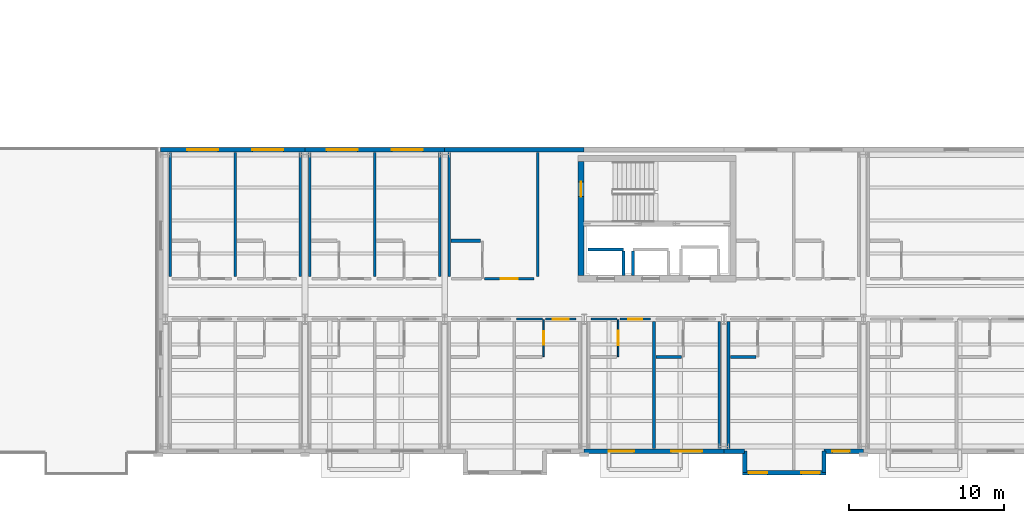
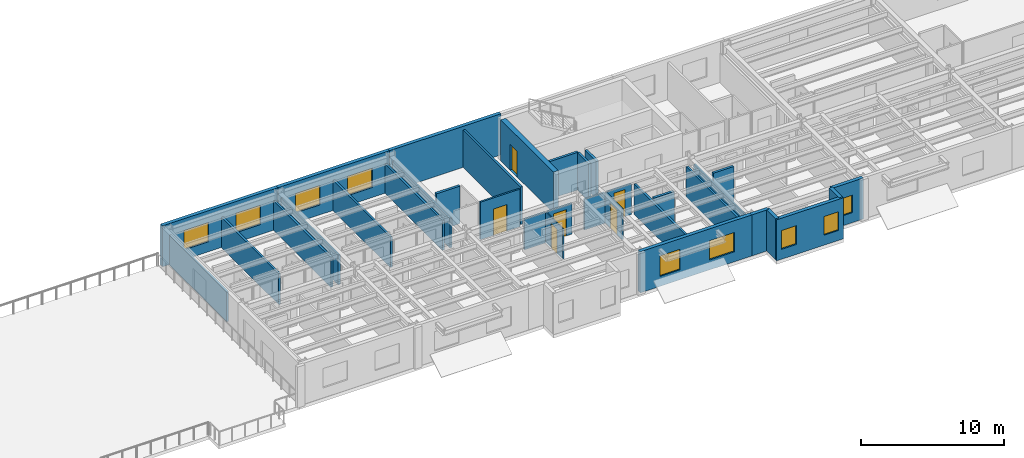
# One storey, part 11 of 23: 34 walls, 9 windows, 6 doors, 15 openings.
"""IFC4 building model written with IfcOpenShell, lengths in metres."""

from ifc_helpers import new_model, si_unit, direction, frame, frame_2d, origin, place, context, subcontext, project, spatial, rectangle, extrude, material, layer, layer_set, type_object, element, fill, save


model = new_model("IFC4")

# Units and contexts
model_context = context("Model", 3, precision=1e-05, world=origin(), true_north=direction((0.0, 1.0)))
body_context = subcontext(model_context, "Body", "Model", "MODEL_VIEW")
ifc_project = project(units=[si_unit("LENGTHUNIT", "METRE"), si_unit("AREAUNIT", "SQUARE_METRE"), si_unit("VOLUMEUNIT", "CUBIC_METRE"), si_unit("PLANEANGLEUNIT", "RADIAN"), si_unit("MASSUNIT", "GRAM", prefix="KILO")], contexts=[model_context])

# Site, building, storey
site_placement = place(None, origin())
site = spatial("IfcSite", under=ifc_project, at=site_placement, CompositionType="ELEMENT")
building_placement = place(site_placement, origin())
building = spatial("IfcBuilding", under=site, at=building_placement, Name="Sollismere Congress Hotel", CompositionType="ELEMENT")
storey_placement = place(building_placement, frame((0.0, 0.0, 30.60009765625)))
storey = spatial("IfcBuildingStorey", under=building, at=storey_placement, Name="L07", CompositionType="ELEMENT", Elevation=30.60009765625)

# Wall, openings, windows
ifc_material_1 = material(Name="Colorado Buff Sandstone Rainscreen on Insulated Backup", Category="masonry")
ifc_layer_1 = layer(ifc_material_1, 0.284912109375, Name="Colorado Buff Sandstone Rainscreen on Insulated Backup")
ifc_layer_set_1 = layer_set([ifc_layer_1], Name="Colorado Buff Sandstone Rainscreen on Insulated Backup")
wall_type_1 = type_object("IfcWallType", Name="WL-EXT285", PredefinedType="STANDARD", material=ifc_layer_set_1)
wall_1_placement = place(storey_placement, frame((94.0, -0.31005859375, 0.0), z_axis=(0.0, 0.0, 1.0), x_axis=(1.0, 0.0, 0.0)))
wall_1 = element("IfcWall", 1, at=wall_1_placement, inside=storey, type_object=wall_type_1, Name="Exterior wall EW-L07-746", PredefinedType="STANDARD", context=body_context, shape_type="SweptSolid", body=[
    extrude(rectangle(XDim=9.0, YDim=0.284912109375, at=frame_2d((4.5, 0.0))), origin(), (0.0, 0.0, 1.0), 3.5),
])
opening_1_placement = place(wall_1_placement, frame((1.574951171875, 0.0, 0.85009765625)))
opening_1 = element("IfcOpeningElement", 2, at=opening_1_placement, cuts=wall_1, Name="Opening W-L07-547", PredefinedType="OPENING", context=body_context, shape_type="SweptSolid", body=[
    extrude(rectangle(XDim=1.64990234375, YDim=1.75, at=frame_2d((0.824951171875, 0.875))), frame((0.0, 0.15234375, 0.0), z_axis=(0.0, -1.0, 0.0), x_axis=(1.0, 0.0, 0.0)), (0.0, 0.0, 1.0), 0.304931640625),
])
opening_2_placement = place(wall_1_placement, frame((5.60009765625, 0.0, 0.85009765625)))
opening_2 = element("IfcOpeningElement", 3, at=opening_2_placement, cuts=wall_1, Name="Opening W-L07-548", PredefinedType="OPENING", context=body_context, shape_type="SweptSolid", body=[
    extrude(rectangle(XDim=2.0, YDim=1.64990234375, at=frame_2d((1.0, 0.824951171875))), frame((0.0, 0.15234375, 0.0), z_axis=(0.0, -1.0, 0.0), x_axis=(1.0, 0.0, 0.0)), (0.0, 0.0, 1.0), 0.304931640625),
])
ifc_material_2 = material(Name="Thermally Broken Bronze Aluminum & Low-E Glass", Category="aluminium")
window_type_1 = type_object("IfcWindowType", Name="WN-P165x175", PartitioningType="SINGLE_PANEL", PredefinedType="WINDOW", material=ifc_material_2)
window_1_placement = place(opening_1_placement, origin())
window_1 = element("IfcWindow", 4, at=window_1_placement, inside=storey, type_object=window_type_1, Name="WIN-W-L07-547", OverallHeight=1.75, OverallWidth=1.64990234375, PartitioningType="SINGLE_PANEL", PredefinedType="WINDOW", context=body_context, shape_type="SweptSolid", body=[
    extrude(rectangle(XDim=1.64990234375, YDim=1.75, at=frame_2d((0.824951171875, 0.875))), frame((0.0, 0.030029296875, 0.0), z_axis=(0.0, -1.0, 0.0), x_axis=(1.0, 0.0, 0.0)), (0.0, 0.0, 1.0), 0.06005859375),
])
fill(opening_1, window_1)
window_type_2 = type_object("IfcWindowType", Name="WN-P200x165", PartitioningType="SINGLE_PANEL", PredefinedType="WINDOW", material=ifc_material_2)
window_2_placement = place(opening_2_placement, origin())
window_2 = element("IfcWindow", 5, at=window_2_placement, inside=storey, type_object=window_type_2, Name="WIN-W-L07-548", OverallHeight=1.64990234375, OverallWidth=2.0, PartitioningType="SINGLE_PANEL", PredefinedType="WINDOW", context=body_context, shape_type="SweptSolid", body=[
    extrude(rectangle(XDim=2.0, YDim=1.64990234375, at=frame_2d((1.0, 0.824951171875))), frame((0.0, 0.030029296875, 0.0), z_axis=(0.0, -1.0, 0.0), x_axis=(1.0, 0.0, 0.0)), (0.0, 0.0, 1.0), 0.06005859375),
])
fill(opening_2, window_2)

# Wall
wall_2_placement = place(storey_placement, frame((103.0, -0.31005859375, 0.0), z_axis=(0.0, 0.0, 1.0), x_axis=(1.0, 0.0, 0.0)))
element("IfcWall", 6, at=wall_2_placement, inside=storey, type_object=wall_type_1, Name="Exterior wall EW-L07-748", PredefinedType="STANDARD", context=body_context, shape_type="SweptSolid", body=[
    extrude(rectangle(XDim=1.340087890625, YDim=0.284912109375, at=frame_2d((0.669921875, 0.0))), origin(), (0.0, 0.0, 1.0), 3.5),
])

# Wall, opening, window
wall_3_placement = place(storey_placement, frame((109.4599609375, -0.31005859375, 0.0), z_axis=(0.0, 0.0, 1.0), x_axis=(1.0, 0.0, 0.0)))
wall_3 = element("IfcWall", 7, at=wall_3_placement, inside=storey, type_object=wall_type_1, Name="Exterior wall EW-L07-749", PredefinedType="STANDARD", context=body_context, shape_type="SweptSolid", body=[
    extrude(rectangle(XDim=2.5400390625, YDim=0.284912109375, at=frame_2d((1.27001953125, 0.0))), origin(), (0.0, 0.0, 1.0), 3.5),
])
opening_3_placement = place(wall_3_placement, frame((0.544921875, 0.0, 0.85009765625)))
opening_3 = element("IfcOpeningElement", 8, at=opening_3_placement, cuts=wall_3, Name="Opening W-L07-549", PredefinedType="OPENING", context=body_context, shape_type="SweptSolid", body=[
    extrude(rectangle(XDim=1.10009765625, YDim=1.5, at=frame_2d((0.550048828125, 0.75))), frame((0.0, 0.15234375, 0.0), z_axis=(0.0, -1.0, 0.0), x_axis=(1.0, 0.0, 0.0)), (0.0, 0.0, 1.0), 0.304931640625),
])
window_type_3 = type_object("IfcWindowType", Name="WN-P110x150", PartitioningType="SINGLE_PANEL", PredefinedType="WINDOW", material=ifc_material_2)
window_3_placement = place(opening_3_placement, origin())
window_3 = element("IfcWindow", 9, at=window_3_placement, inside=storey, type_object=window_type_3, Name="WIN-W-L07-549", OverallHeight=1.5, OverallWidth=1.10009765625, PartitioningType="SINGLE_PANEL", PredefinedType="WINDOW", context=body_context, shape_type="SweptSolid", body=[
    extrude(rectangle(XDim=1.10009765625, YDim=1.5, at=frame_2d((0.550048828125, 0.75))), frame((0.0, 0.030029296875, 0.0), z_axis=(0.0, -1.0, 0.0), x_axis=(1.0, 0.0, 0.0)), (0.0, 0.0, 1.0), 0.06005859375),
])
fill(opening_3, window_3)

# Wall, openings, windows
wall_4_placement = place(storey_placement, frame((104.199951171875, -1.699951171875, 0.0), z_axis=(0.0, 0.0, 1.0), x_axis=(1.0, 0.0, 0.0)))
wall_4 = element("IfcWall", 10, at=wall_4_placement, inside=storey, type_object=wall_type_1, Name="Exterior wall EW-L07-750", PredefinedType="STANDARD", context=body_context, shape_type="SweptSolid", body=[
    extrude(rectangle(XDim=5.400146484375, YDim=0.284912109375, at=frame_2d((2.7001953125, 0.0))), origin(), (0.0, 0.0, 1.0), 3.5),
])
opening_4_placement = place(wall_4_placement, frame((0.39990234375, 0.0, 0.85009765625)))
opening_4 = element("IfcOpeningElement", 11, at=opening_4_placement, cuts=wall_4, Name="Opening W-L07-550", PredefinedType="OPENING", context=body_context, shape_type="SweptSolid", body=[
    extrude(rectangle(XDim=1.199951171875, YDim=1.60009765625, at=frame_2d((0.60009765625, 0.800048828125))), frame((0.0, 0.15234375, 0.0), z_axis=(0.0, -1.0, 0.0), x_axis=(1.0, 0.0, 0.0)), (0.0, 0.0, 1.0), 0.304931640625),
])
opening_5_placement = place(wall_4_placement, frame((3.800048828125, 0.0, 0.85009765625)))
opening_5 = element("IfcOpeningElement", 12, at=opening_5_placement, cuts=wall_4, Name="Opening W-L07-551", PredefinedType="OPENING", context=body_context, shape_type="SweptSolid", body=[
    extrude(rectangle(XDim=1.199951171875, YDim=1.60009765625, at=frame_2d((0.60009765625, 0.800048828125))), frame((0.0, 0.15234375, 0.0), z_axis=(0.0, -1.0, 0.0), x_axis=(1.0, 0.0, 0.0)), (0.0, 0.0, 1.0), 0.304931640625),
])
window_type_4 = type_object("IfcWindowType", Name="WN-P120x160", PartitioningType="SINGLE_PANEL", PredefinedType="WINDOW", material=ifc_material_2)
window_4_placement = place(opening_4_placement, origin())
window_4 = element("IfcWindow", 13, at=window_4_placement, inside=storey, type_object=window_type_4, Name="WIN-W-L07-550", OverallHeight=1.60009765625, OverallWidth=1.199951171875, PartitioningType="SINGLE_PANEL", PredefinedType="WINDOW", context=body_context, shape_type="SweptSolid", body=[
    extrude(rectangle(XDim=1.199951171875, YDim=1.60009765625, at=frame_2d((0.60009765625, 0.800048828125))), frame((0.0, 0.030029296875, 0.0), z_axis=(0.0, -1.0, 0.0), x_axis=(1.0, 0.0, 0.0)), (0.0, 0.0, 1.0), 0.06005859375),
])
fill(opening_4, window_4)
window_5_placement = place(opening_5_placement, origin())
window_5 = element("IfcWindow", 14, at=window_5_placement, inside=storey, type_object=window_type_4, Name="WIN-W-L07-551", OverallHeight=1.60009765625, OverallWidth=1.199951171875, PartitioningType="SINGLE_PANEL", PredefinedType="WINDOW", context=body_context, shape_type="SweptSolid", body=[
    extrude(rectangle(XDim=1.199951171875, YDim=1.60009765625, at=frame_2d((0.60009765625, 0.800048828125))), frame((0.0, 0.030029296875, 0.0), z_axis=(0.0, -1.0, 0.0), x_axis=(1.0, 0.0, 0.0)), (0.0, 0.0, 1.0), 0.06005859375),
])
fill(opening_5, window_5)

# Walls
for number, where, z_axis, x_axis, name in (
    (15, (104.340087890625, -0.31005859375, 0.0), (0.0, 0.0, 1.0), (0.0, -1.0, 0.0), "Exterior wall EW-L07-751"),
    (16, (109.4599609375, -1.699951171875, 0.0), (0.0, 0.0, 1.0), (0.0, 1.0, 0.0), "Exterior wall EW-L07-752"),
):
    element("IfcWall", number, at=place(storey_placement, frame(where, z_axis=z_axis, x_axis=x_axis)), inside=storey, type_object=wall_type_1, Name=name, PredefinedType="STANDARD", context=body_context, shape_type="SweptSolid", body=[
        extrude(rectangle(XDim=1.389892578125, YDim=0.284912109375, at=frame_2d((0.69482421875, 0.0))), origin(), (0.0, 0.0, 1.0), 3.5),
    ])

# Wall, openings, windows
wall_5_placement = place(storey_placement, frame((76.0, 19.110107421875, 0.0), z_axis=(0.0, 0.0, 1.0), x_axis=(-1.0, 0.0, 0.0)))
wall_5 = element("IfcWall", 17, at=wall_5_placement, inside=storey, type_object=wall_type_1, Name="Exterior wall EW-L07-794", PredefinedType="STANDARD", context=body_context, shape_type="SweptSolid", body=[
    extrude(rectangle(XDim=9.31005859375, YDim=0.284912109375, at=frame_2d((4.655029296875, 0.0))), origin(), (0.0, 0.0, 1.0), 3.5),
])
opening_6_placement = place(wall_5_placement, frame((5.60009765625, 0.0, 0.85009765625)))
opening_6 = element("IfcOpeningElement", 18, at=opening_6_placement, cuts=wall_5, Name="Opening W-L07-573", PredefinedType="OPENING", context=body_context, shape_type="SweptSolid", body=[
    extrude(rectangle(XDim=2.0, YDim=1.64990234375, at=frame_2d((1.0, 0.824951171875))), frame((0.0, 0.15234375, 0.0), z_axis=(0.0, -1.0, 0.0), x_axis=(1.0, 0.0, 0.0)), (0.0, 0.0, 1.0), 0.304931640625),
])
opening_7_placement = place(wall_5_placement, frame((1.39990234375, 0.0, 0.85009765625)))
opening_7 = element("IfcOpeningElement", 19, at=opening_7_placement, cuts=wall_5, Name="Opening W-L07-574", PredefinedType="OPENING", context=body_context, shape_type="SweptSolid", body=[
    extrude(rectangle(XDim=2.0, YDim=1.64990234375, at=frame_2d((1.0, 0.824951171875))), frame((0.0, 0.15234375, 0.0), z_axis=(0.0, -1.0, 0.0), x_axis=(1.0, 0.0, 0.0)), (0.0, 0.0, 1.0), 0.304931640625),
])
window_6_placement = place(opening_6_placement, origin())
window_6 = element("IfcWindow", 20, at=window_6_placement, inside=storey, type_object=window_type_2, Name="WIN-W-L07-573", OverallHeight=1.64990234375, OverallWidth=2.0, PartitioningType="SINGLE_PANEL", PredefinedType="WINDOW", context=body_context, shape_type="SweptSolid", body=[
    extrude(rectangle(XDim=2.0, YDim=1.64990234375, at=frame_2d((1.0, 0.824951171875))), frame((0.0, 0.030029296875, 0.0), z_axis=(0.0, -1.0, 0.0), x_axis=(1.0, 0.0, 0.0)), (0.0, 0.0, 1.0), 0.06005859375),
])
fill(opening_6, window_6)
window_7_placement = place(opening_7_placement, origin())
window_7 = element("IfcWindow", 21, at=window_7_placement, inside=storey, type_object=window_type_2, Name="WIN-W-L07-574", OverallHeight=1.64990234375, OverallWidth=2.0, PartitioningType="SINGLE_PANEL", PredefinedType="WINDOW", context=body_context, shape_type="SweptSolid", body=[
    extrude(rectangle(XDim=2.0, YDim=1.64990234375, at=frame_2d((1.0, 0.824951171875))), frame((0.0, 0.030029296875, 0.0), z_axis=(0.0, -1.0, 0.0), x_axis=(1.0, 0.0, 0.0)), (0.0, 0.0, 1.0), 0.06005859375),
])
fill(opening_7, window_7)

wall_6_placement = place(storey_placement, frame((85.0, 19.110107421875, 0.0), z_axis=(0.0, 0.0, 1.0), x_axis=(-1.0, 0.0, 0.0)))
wall_6 = element("IfcWall", 22, at=wall_6_placement, inside=storey, type_object=wall_type_1, Name="Exterior wall EW-L07-795", PredefinedType="STANDARD", context=body_context, shape_type="SweptSolid", body=[
    extrude(rectangle(XDim=9.0, YDim=0.284912109375, at=frame_2d((4.5, 0.0))), origin(), (0.0, 0.0, 1.0), 3.5),
])
opening_8_placement = place(wall_6_placement, frame((5.60009765625, 0.0, 0.85009765625)))
opening_8 = element("IfcOpeningElement", 23, at=opening_8_placement, cuts=wall_6, Name="Opening W-L07-575", PredefinedType="OPENING", context=body_context, shape_type="SweptSolid", body=[
    extrude(rectangle(XDim=2.0, YDim=1.64990234375, at=frame_2d((1.0, 0.824951171875))), frame((0.0, 0.15234375, 0.0), z_axis=(0.0, -1.0, 0.0), x_axis=(1.0, 0.0, 0.0)), (0.0, 0.0, 1.0), 0.304931640625),
])
opening_9_placement = place(wall_6_placement, frame((1.39990234375, 0.0, 0.85009765625)))
opening_9 = element("IfcOpeningElement", 24, at=opening_9_placement, cuts=wall_6, Name="Opening W-L07-576", PredefinedType="OPENING", context=body_context, shape_type="SweptSolid", body=[
    extrude(rectangle(XDim=2.0, YDim=1.64990234375, at=frame_2d((1.0, 0.824951171875))), frame((0.0, 0.15234375, 0.0), z_axis=(0.0, -1.0, 0.0), x_axis=(1.0, 0.0, 0.0)), (0.0, 0.0, 1.0), 0.304931640625),
])
window_8_placement = place(opening_8_placement, origin())
window_8 = element("IfcWindow", 25, at=window_8_placement, inside=storey, type_object=window_type_2, Name="WIN-W-L07-575", OverallHeight=1.64990234375, OverallWidth=2.0, PartitioningType="SINGLE_PANEL", PredefinedType="WINDOW", context=body_context, shape_type="SweptSolid", body=[
    extrude(rectangle(XDim=2.0, YDim=1.64990234375, at=frame_2d((1.0, 0.824951171875))), frame((0.0, 0.030029296875, 0.0), z_axis=(0.0, -1.0, 0.0), x_axis=(1.0, 0.0, 0.0)), (0.0, 0.0, 1.0), 0.06005859375),
])
fill(opening_8, window_8)
window_9_placement = place(opening_9_placement, origin())
window_9 = element("IfcWindow", 26, at=window_9_placement, inside=storey, type_object=window_type_2, Name="WIN-W-L07-576", OverallHeight=1.64990234375, OverallWidth=2.0, PartitioningType="SINGLE_PANEL", PredefinedType="WINDOW", context=body_context, shape_type="SweptSolid", body=[
    extrude(rectangle(XDim=2.0, YDim=1.64990234375, at=frame_2d((1.0, 0.824951171875))), frame((0.0, 0.030029296875, 0.0), z_axis=(0.0, -1.0, 0.0), x_axis=(1.0, 0.0, 0.0)), (0.0, 0.0, 1.0), 0.06005859375),
])
fill(opening_9, window_9)

# Walls
wall_7_placement = place(storey_placement, frame((94.0, 19.110107421875, 0.0), z_axis=(0.0, 0.0, 1.0), x_axis=(-1.0, 0.0, 0.0)))
element("IfcWall", 27, at=wall_7_placement, inside=storey, type_object=wall_type_1, Name="Exterior wall EW-L07-796", PredefinedType="STANDARD", context=body_context, shape_type="SweptSolid", body=[
    extrude(rectangle(XDim=9.0, YDim=0.284912109375, at=frame_2d((4.5, 0.0))), origin(), (0.0, 0.0, 1.0), 3.5),
])
ifc_material_3 = material(Name="Moisture-Resistant Shaft Gypsum Assembly")
ifc_layer_2 = layer(ifc_material_3, 0.199951171875, Name="Moisture-Resistant Shaft Gypsum Assembly")
ifc_layer_set_2 = layer_set([ifc_layer_2], Name="Moisture-Resistant Shaft Gypsum Assembly")
wall_type_2 = type_object("IfcWallType", Name="WL-PLM200", PredefinedType="PLUMBINGWALL", material=ifc_layer_set_2)
wall_8_placement = place(storey_placement, frame((94.2548828125, 12.68994140625, 0.0), z_axis=(0.0, 0.0, 1.0), x_axis=(1.0, 0.0, 0.0)))
element("IfcWall", 28, at=wall_8_placement, inside=storey, type_object=wall_type_2, Name="Interior wall IW-L07-0318", PredefinedType="PLUMBINGWALL", context=body_context, shape_type="SweptSolid", body=[
    extrude(rectangle(XDim=2.2900390625, YDim=0.199951171875, at=frame_2d((1.14501953125, 0.0))), origin(), (0.0, 0.0, 1.0), 3.199951171875),
])
for number, where, z_axis, x_axis, name in (
    (29, (96.544921875, 11.011962890625, 0.0), (0.0, 0.0, 1.0), (0.0, 1.0, 0.0), "Interior wall IW-L07-0319"),
    (30, (97.155029296875, 11.011962890625, 0.0), (0.0, 0.0, 1.0), (0.0, 1.0, 0.0), "Interior wall IW-L07-0321"),
):
    element("IfcWall", number, at=place(storey_placement, frame(where, z_axis=z_axis, x_axis=x_axis)), inside=storey, type_object=wall_type_2, Name=name, PredefinedType="PLUMBINGWALL", context=body_context, shape_type="SweptSolid", body=[
        extrude(rectangle(XDim=1.56591796875, YDim=0.199951171875, at=frame_2d((0.782958984375, 0.0))), origin(), (0.0, 0.0, 1.0), 3.199951171875),
    ])
wall_9_placement = place(storey_placement, frame((85.419921875, 13.25, 0.0), z_axis=(0.0, 0.0, 1.0), x_axis=(1.0, 0.0, 0.0)))
element("IfcWall", 31, at=wall_9_placement, inside=storey, type_object=wall_type_2, Name="Interior wall IW-L07-2259", PredefinedType="PLUMBINGWALL", context=body_context, shape_type="SweptSolid", body=[
    extrude(rectangle(XDim=1.91015625, YDim=0.199951171875, at=frame_2d((0.955078125, 0.0))), origin(), (0.0, 0.0, 1.0), 3.199951171875),
])
wall_10_placement = place(storey_placement, frame((98.6201171875, 5.75, 0.0), z_axis=(0.0, 0.0, 1.0), x_axis=(1.0, 0.0, 0.0)))
element("IfcWall", 32, at=wall_10_placement, inside=storey, type_object=wall_type_2, Name="Interior wall IW-L07-2270", PredefinedType="PLUMBINGWALL", context=body_context, shape_type="SweptSolid", body=[
    extrude(rectangle(XDim=1.64990234375, YDim=0.199951171875, at=frame_2d((0.824951171875, 0.0))), origin(), (0.0, 0.0, 1.0), 2.7529296875),
])
wall_11_placement = place(storey_placement, frame((103.419921875, 5.75, 0.0), z_axis=(0.0, 0.0, 1.0), x_axis=(1.0, 0.0, 0.0)))
element("IfcWall", 33, at=wall_11_placement, inside=storey, type_object=wall_type_2, Name="Interior wall IW-L07-2276", PredefinedType="PLUMBINGWALL", context=body_context, shape_type="SweptSolid", body=[
    extrude(rectangle(XDim=1.650146484375, YDim=0.199951171875, at=frame_2d((0.8251953125, 0.0))), origin(), (0.0, 0.0, 1.0), 3.199951171875),
])

# Wall, opening, door
ifc_material_4 = material(Name="Moisture-Resistant Gypsum Partition")
ifc_layer_3 = layer(ifc_material_4, 0.10009765625, Name="Moisture-Resistant Gypsum Partition")
ifc_layer_set_3 = layer_set([ifc_layer_3], Name="Moisture-Resistant Gypsum Partition")
wall_type_3 = type_object("IfcWallType", Name="WL-PRT100", PredefinedType="PARTITIONING", material=ifc_layer_set_3)
wall_12_placement = place(storey_placement, frame((91.389892578125, 5.7900390625, 0.0), z_axis=(0.0, 0.0, 1.0), x_axis=(0.0, 1.0, 0.0)))
wall_12 = element("IfcWall", 34, at=wall_12_placement, inside=storey, type_object=wall_type_3, Name="Interior wall IW-L07-2252", PredefinedType="PARTITIONING", context=body_context, shape_type="SweptSolid", body=[
    extrude(rectangle(XDim=2.369873046875, YDim=0.10009765625, at=frame_2d((1.18505859375, 0.0))), origin(), (0.0, 0.0, 1.0), 2.61279296875),
])
opening_10_placement = place(wall_12_placement, frame((0.7451171875, 0.0, 0.0)))
opening_10 = element("IfcOpeningElement", 35, at=opening_10_placement, cuts=wall_12, Name="Opening D-L07-0795", PredefinedType="OPENING", context=body_context, shape_type="SweptSolid", body=[
    extrude(rectangle(XDim=0.8798828125, YDim=2.10009765625, at=frame_2d((0.43994140625, 1.050048828125))), frame((0.0, 0.06005859375, 0.0), z_axis=(0.0, -1.0, 0.0), x_axis=(1.0, 0.0, 0.0)), (0.0, 0.0, 1.0), 0.1201171875),
])
ifc_material_5 = material(Name="Moisture-Sealed Timber Bathroom Door", Category="wood")
door_type_1 = type_object("IfcDoorType", Name="DR-BT01", OperationType="NOTDEFINED", PredefinedType="DOOR", material=ifc_material_5)
door_1_placement = place(opening_10_placement, origin())
door_1 = element("IfcDoor", 36, at=door_1_placement, inside=storey, type_object=door_type_1, Name="En-suite bathroom door D-L07-0795", OperationType="SINGLE_SWING_RIGHT", OverallHeight=2.10009765625, OverallWidth=0.8798828125, PredefinedType="DOOR", context=body_context, shape_type="SweptSolid", body=[
    extrude(rectangle(XDim=0.8798828125, YDim=2.10009765625, at=frame_2d((0.43994140625, 1.050048828125))), frame((0.0, 0.02490234375, 0.0), z_axis=(0.0, -1.0, 0.0), x_axis=(1.0, 0.0, 0.0)), (0.0, 0.0, 1.0), 0.050048828125),
])
fill(opening_10, door_1)

wall_13_placement = place(storey_placement, frame((96.18994140625, 5.7900390625, 0.0), z_axis=(0.0, 0.0, 1.0), x_axis=(0.0, 1.0, 0.0)))
wall_13 = element("IfcWall", 37, at=wall_13_placement, inside=storey, type_object=wall_type_3, Name="Interior wall IW-L07-2264", PredefinedType="PARTITIONING", context=body_context, shape_type="SweptSolid", body=[
    extrude(rectangle(XDim=2.369873046875, YDim=0.10009765625, at=frame_2d((1.18505859375, 0.0))), origin(), (0.0, 0.0, 1.0), 2.61279296875),
])
opening_11_placement = place(wall_13_placement, frame((0.719970703125, 0.0, 0.0)))
opening_11 = element("IfcOpeningElement", 38, at=opening_11_placement, cuts=wall_13, Name="Opening D-L07-0799", PredefinedType="OPENING", context=body_context, shape_type="SweptSolid", body=[
    extrude(rectangle(XDim=0.929931640625, YDim=2.139892578125, at=frame_2d((0.46484375, 1.06982421875))), frame((0.0, 0.06005859375, 0.0), z_axis=(0.0, -1.0, 0.0), x_axis=(1.0, 0.0, 0.0)), (0.0, 0.0, 1.0), 0.1201171875),
])
door_type_2 = type_object("IfcDoorType", Name="DR-BT03", OperationType="NOTDEFINED", PredefinedType="DOOR", material=ifc_material_5)
door_2_placement = place(opening_11_placement, origin())
door_2 = element("IfcDoor", 39, at=door_2_placement, inside=storey, type_object=door_type_2, Name="En-suite bathroom door D-L07-0799", OperationType="SINGLE_SWING_RIGHT", OverallHeight=2.139892578125, OverallWidth=0.929931640625, PredefinedType="DOOR", context=body_context, shape_type="SweptSolid", body=[
    extrude(rectangle(XDim=0.929931640625, YDim=2.139892578125, at=frame_2d((0.46484375, 1.06982421875))), frame((0.0, 0.02490234375, 0.0), z_axis=(0.0, -1.0, 0.0), x_axis=(1.0, 0.0, 0.0)), (0.0, 0.0, 1.0), 0.050048828125),
])
fill(opening_11, door_2)

# Wall
ifc_material_6 = material(Name="Fire-Rated Gypsum Partition")
ifc_layer_4 = layer(ifc_material_6, 0.139892578125, Name="Fire-Rated Gypsum Partition")
ifc_layer_set_4 = layer_set([ifc_layer_4], Name="Fire-Rated Gypsum Partition")
wall_type_4 = type_object("IfcWallType", Name="WL-PRT140R", PredefinedType="PARTITIONING", material=ifc_layer_set_4)
wall_14_placement = place(storey_placement, frame((89.639892578125, 8.199951171875, 0.0), z_axis=(0.0, 0.0, 1.0), x_axis=(1.0, 0.0, 0.0)))
element("IfcWall", 40, at=wall_14_placement, inside=storey, type_object=wall_type_4, Name="Interior wall IW-L07-2249", PredefinedType="PARTITIONING", context=body_context, shape_type="SweptSolid", body=[
    extrude(rectangle(XDim=1.670166015625, YDim=0.139892578125, at=frame_2d((0.8349609375, 0.0))), origin(), (0.0, 0.0, 1.0), 2.61279296875),
])

# Wall, opening, door
wall_15_placement = place(storey_placement, frame((91.510009765625, 8.199951171875, 0.0), z_axis=(0.0, 0.0, 1.0), x_axis=(1.0, 0.0, 0.0)))
wall_15 = element("IfcWall", 41, at=wall_15_placement, inside=storey, type_object=wall_type_4, Name="Interior wall IW-L07-2250", PredefinedType="PARTITIONING", context=body_context, shape_type="SweptSolid", body=[
    extrude(rectangle(XDim=1.949951171875, YDim=0.139892578125, at=frame_2d((0.97509765625, 0.0))), origin(), (0.0, 0.0, 1.0), 2.61279296875),
])
opening_12_placement = place(wall_15_placement, frame((0.455078125, 0.0, 0.0)))
opening_12 = element("IfcOpeningElement", 42, at=opening_12_placement, cuts=wall_15, Name="Opening D-L07-0794", PredefinedType="OPENING", context=body_context, shape_type="SweptSolid", body=[
    extrude(rectangle(XDim=1.0400390625, YDim=2.25, at=frame_2d((0.52001953125, 1.125))), frame((0.0, 0.079833984375, 0.0), z_axis=(0.0, -1.0, 0.0), x_axis=(1.0, 0.0, 0.0)), (0.0, 0.0, 1.0), 0.159912109375),
])
ifc_material_7 = material(Name="Solid-Core Acoustic Walnut Guestroom Entry Door")
door_type_3 = type_object("IfcDoorType", Name="DR-KY05", OperationType="NOTDEFINED", PredefinedType="DOOR", material=ifc_material_7)
door_3_placement = place(opening_12_placement, origin())
door_3 = element("IfcDoor", 43, at=door_3_placement, inside=storey, type_object=door_type_3, Name="Hotel room entry door D-L07-0794", OperationType="SINGLE_SWING_LEFT", OverallHeight=2.25, OverallWidth=1.0400390625, PredefinedType="DOOR", context=body_context, shape_type="SweptSolid", body=[
    extrude(rectangle(XDim=1.0400390625, YDim=2.25, at=frame_2d((0.52001953125, 1.125))), frame((0.0, 0.02490234375, 0.0), z_axis=(0.0, -1.0, 0.0), x_axis=(1.0, 0.0, 0.0)), (0.0, 0.0, 1.0), 0.050048828125),
])
fill(opening_12, door_3)

wall_16_placement = place(storey_placement, frame((87.570068359375, 10.800048828125, 0.0), z_axis=(0.0, 0.0, 1.0), x_axis=(1.0, 0.0, 0.0)))
wall_16 = element("IfcWall", 44, at=wall_16_placement, inside=storey, type_object=wall_type_4, Name="Interior wall IW-L07-2255", PredefinedType="PARTITIONING", context=body_context, shape_type="SweptSolid", body=[
    extrude(rectangle(XDim=3.18994140625, YDim=0.139892578125, at=frame_2d((1.594970703125, 0.0))), origin(), (0.0, 0.0, 1.0), 3.199951171875),
])
opening_13_placement = place(wall_16_placement, frame((1.06005859375, 0.0, 0.0)))
opening_13 = element("IfcOpeningElement", 45, at=opening_13_placement, cuts=wall_16, Name="Opening D-L07-0796", PredefinedType="OPENING", context=body_context, shape_type="SweptSolid", body=[
    extrude(rectangle(XDim=1.070068359375, YDim=2.25, at=frame_2d((0.53515625, 1.125))), frame((0.0, 0.079833984375, 0.0), z_axis=(0.0, -1.0, 0.0), x_axis=(1.0, 0.0, 0.0)), (0.0, 0.0, 1.0), 0.159912109375),
])
door_type_4 = type_object("IfcDoorType", Name="DR-KY06", OperationType="NOTDEFINED", PredefinedType="DOOR", material=ifc_material_7)
door_4_placement = place(opening_13_placement, origin())
door_4 = element("IfcDoor", 46, at=door_4_placement, inside=storey, type_object=door_type_4, Name="Hotel room entry door D-L07-0796", OperationType="SINGLE_SWING_LEFT", OverallHeight=2.25, OverallWidth=1.070068359375, PredefinedType="DOOR", context=body_context, shape_type="SweptSolid", body=[
    extrude(rectangle(XDim=1.070068359375, YDim=2.25, at=frame_2d((0.53515625, 1.125))), frame((0.0, 0.02490234375, 0.0), z_axis=(0.0, -1.0, 0.0), x_axis=(1.0, 0.0, 0.0)), (0.0, 0.0, 1.0), 0.050048828125),
])
fill(opening_13, door_4)

# Wall
wall_17_placement = place(storey_placement, frame((94.43994140625, 8.199951171875, 0.0), z_axis=(0.0, 0.0, 1.0), x_axis=(1.0, 0.0, 0.0)))
element("IfcWall", 47, at=wall_17_placement, inside=storey, type_object=wall_type_4, Name="Interior wall IW-L07-2260", PredefinedType="PARTITIONING", context=body_context, shape_type="SweptSolid", body=[
    extrude(rectangle(XDim=1.670166015625, YDim=0.139892578125, at=frame_2d((0.8349609375, 0.0))), origin(), (0.0, 0.0, 1.0), 2.61279296875),
])

# Wall, opening, door
wall_18_placement = place(storey_placement, frame((96.31005859375, 8.199951171875, 0.0), z_axis=(0.0, 0.0, 1.0), x_axis=(1.0, 0.0, 0.0)))
wall_18 = element("IfcWall", 48, at=wall_18_placement, inside=storey, type_object=wall_type_4, Name="Interior wall IW-L07-2261", PredefinedType="PARTITIONING", context=body_context, shape_type="SweptSolid", body=[
    extrude(rectangle(XDim=1.949951171875, YDim=0.139892578125, at=frame_2d((0.97509765625, 0.0))), origin(), (0.0, 0.0, 1.0), 2.61279296875),
])
opening_14_placement = place(wall_18_placement, frame((0.514892578125, 0.0, 0.0)))
opening_14 = element("IfcOpeningElement", 49, at=opening_14_placement, cuts=wall_18, Name="Opening D-L07-0798", PredefinedType="OPENING", context=body_context, shape_type="SweptSolid", body=[
    extrude(rectangle(XDim=0.919921875, YDim=2.300048828125, at=frame_2d((0.4599609375, 1.14990234375))), frame((0.0, 0.079833984375, 0.0), z_axis=(0.0, -1.0, 0.0), x_axis=(1.0, 0.0, 0.0)), (0.0, 0.0, 1.0), 0.159912109375),
])
door_type_5 = type_object("IfcDoorType", Name="DR-KY07", OperationType="NOTDEFINED", PredefinedType="DOOR", material=ifc_material_7)
door_5_placement = place(opening_14_placement, origin())
door_5 = element("IfcDoor", 50, at=door_5_placement, inside=storey, type_object=door_type_5, Name="Hotel room entry door D-L07-0798", OperationType="SINGLE_SWING_LEFT", OverallHeight=2.300048828125, OverallWidth=0.919921875, PredefinedType="DOOR", context=body_context, shape_type="SweptSolid", body=[
    extrude(rectangle(XDim=0.919921875, YDim=2.300048828125, at=frame_2d((0.4599609375, 1.14990234375))), frame((0.0, 0.02490234375, 0.0), z_axis=(0.0, -1.0, 0.0), x_axis=(1.0, 0.0, 0.0)), (0.0, 0.0, 1.0), 0.050048828125),
])
fill(opening_14, door_5)

# Walls
ifc_material_8 = material(Name="Fire-Rated Acoustic Gypsum Partition")
ifc_layer_5 = layer(ifc_material_8, 0.1650390625, Name="Fire-Rated Acoustic Gypsum Partition")
ifc_layer_set_5 = layer_set([ifc_layer_5], Name="Fire-Rated Acoustic Gypsum Partition")
wall_type_5 = type_object("IfcWallType", Name="WL-PRT165R", PredefinedType="PARTITIONING", material=ifc_layer_set_5)
wall_19_placement = place(storey_placement, frame((67.300048828125, 10.93994140625, 0.0), z_axis=(0.0, 0.0, 1.0), x_axis=(0.0, 1.0, 0.0)))
element("IfcWall", 51, at=wall_19_placement, inside=storey, type_object=wall_type_5, Name="Interior wall IW-L07-2212", PredefinedType="PARTITIONING", context=body_context, shape_type="SweptSolid", body=[
    extrude(rectangle(XDim=8.012451171875, YDim=0.1650390625, at=frame_2d((4.00634765625, 0.0))), origin(), (0.0, 0.0, 1.0), 2.52880859375),
])
wall_20_placement = place(storey_placement, frame((71.5, 10.93994140625, 0.0), z_axis=(0.0, 0.0, 1.0), x_axis=(0.0, 1.0, 0.0)))
element("IfcWall", 52, at=wall_20_placement, inside=storey, type_object=wall_type_5, Name="Interior wall IW-L07-2213", PredefinedType="PARTITIONING", context=body_context, shape_type="SweptSolid", body=[
    extrude(rectangle(XDim=8.012451171875, YDim=0.1650390625, at=frame_2d((4.00634765625, 0.0))), origin(), (0.0, 0.0, 1.0), 2.61279296875),
])
for number, where, z_axis, x_axis, name in (
    (53, (75.699951171875, 10.93994140625, 0.0), (0.0, 0.0, 1.0), (0.0, 1.0, 0.0), "Interior wall IW-L07-2218"),
    (54, (76.300048828125, 10.93994140625, 0.0), (0.0, 0.0, 1.0), (0.0, 1.0, 0.0), "Interior wall IW-L07-2234"),
):
    element("IfcWall", number, at=place(storey_placement, frame(where, z_axis=z_axis, x_axis=x_axis)), inside=storey, type_object=wall_type_5, Name=name, PredefinedType="PARTITIONING", context=body_context, shape_type="SweptSolid", body=[
        extrude(rectangle(XDim=8.012451171875, YDim=0.1650390625, at=frame_2d((4.00634765625, 0.0))), origin(), (0.0, 0.0, 1.0), 2.52880859375),
    ])
wall_21_placement = place(storey_placement, frame((80.5, 10.93994140625, 0.0), z_axis=(0.0, 0.0, 1.0), x_axis=(0.0, 1.0, 0.0)))
element("IfcWall", 55, at=wall_21_placement, inside=storey, type_object=wall_type_5, Name="Interior wall IW-L07-2235", PredefinedType="PARTITIONING", context=body_context, shape_type="SweptSolid", body=[
    extrude(rectangle(XDim=8.012451171875, YDim=0.1650390625, at=frame_2d((4.00634765625, 0.0))), origin(), (0.0, 0.0, 1.0), 2.61279296875),
])
for number, where, z_axis, x_axis, name in (
    (56, (84.699951171875, 10.93994140625, 0.0), (0.0, 0.0, 1.0), (0.0, 1.0, 0.0), "Interior wall IW-L07-2240"),
    (57, (85.300048828125, 10.93994140625, 0.0), (0.0, 0.0, 1.0), (0.0, 1.0, 0.0), "Interior wall IW-L07-2256"),
):
    element("IfcWall", number, at=place(storey_placement, frame(where, z_axis=z_axis, x_axis=x_axis)), inside=storey, type_object=wall_type_5, Name=name, PredefinedType="PARTITIONING", context=body_context, shape_type="SweptSolid", body=[
        extrude(rectangle(XDim=8.012451171875, YDim=0.1650390625, at=frame_2d((4.00634765625, 0.0))), origin(), (0.0, 0.0, 1.0), 2.52880859375),
    ])
wall_22_placement = place(storey_placement, frame((91.0, 10.93994140625, 0.0), z_axis=(0.0, 0.0, 1.0), x_axis=(0.0, 1.0, 0.0)))
element("IfcWall", 58, at=wall_22_placement, inside=storey, type_object=wall_type_5, Name="Interior wall IW-L07-2257", PredefinedType="PARTITIONING", context=body_context, shape_type="SweptSolid", body=[
    extrude(rectangle(XDim=8.012451171875, YDim=0.1650390625, at=frame_2d((4.00634765625, 0.0))), origin(), (0.0, 0.0, 1.0), 3.199951171875),
])
for number, where, z_axis, x_axis, name in (
    (59, (98.5, -0.152587890625, 0.0), (0.0, 0.0, 1.0), (0.0, 1.0, 0.0), "Interior wall IW-L07-2263"),
    (60, (102.699951171875, -0.152587890625, 0.0), (0.0, 0.0, 1.0), (0.0, 1.0, 0.0), "Interior wall IW-L07-2268"),
    (61, (103.300048828125, -0.152587890625, 0.0), (0.0, 0.0, 1.0), (0.0, 1.0, 0.0), "Interior wall IW-L07-2273"),
):
    element("IfcWall", number, at=place(storey_placement, frame(where, z_axis=z_axis, x_axis=x_axis)), inside=storey, type_object=wall_type_5, Name=name, PredefinedType="PARTITIONING", context=body_context, shape_type="SweptSolid", body=[
        extrude(rectangle(XDim=8.212646484375, YDim=0.1650390625, at=frame_2d((4.1064453125, 0.0))), origin(), (0.0, 0.0, 1.0), 2.58984375),
    ])

# Wall, opening, door
ifc_material_9 = material(Name="Concrete C50/60", Category="concrete")
ifc_layer_6 = layer(ifc_material_9, 0.39990234375, Name="Concrete C50/60")
ifc_layer_set_6 = layer_set([ifc_layer_6], Name="Concrete C50/60")
wall_type_6 = type_object("IfcWallType", Name="WL-SHR400", PredefinedType="SHEAR", material=ifc_layer_set_6)
wall_23_placement = place(storey_placement, frame((93.800048828125, 18.35009765625, 0.0), z_axis=(0.0, 0.0, 1.0), x_axis=(0.0, -1.0, 0.0)))
wall_23 = element("IfcWall", 62, at=wall_23_placement, inside=storey, type_object=wall_type_6, Name="Interior wall IW-L07-0315", PredefinedType="SHEAR", context=body_context, shape_type="SweptSolid", body=[
    extrude(rectangle(XDim=7.35009765625, YDim=0.39990234375, at=frame_2d((3.675048828125, 0.0))), origin(), (0.0, 0.0, 1.0), 3.5),
])
opening_15_placement = place(wall_23_placement, frame((1.300048828125, 0.0, 0.0)))
opening_15 = element("IfcOpeningElement", 63, at=opening_15_placement, cuts=wall_23, Name="Opening D-ST-02-L07", PredefinedType="OPENING", context=body_context, shape_type="SweptSolid", body=[
    extrude(rectangle(XDim=0.949951171875, YDim=2.199951171875, at=frame_2d((0.47509765625, 1.10009765625))), frame((0.0, 0.2099609375, 0.0), z_axis=(0.0, -1.0, 0.0), x_axis=(1.0, 0.0, 0.0)), (0.0, 0.0, 1.0), 0.419921875),
])
ifc_material_10 = material(Name="Fire-Rated Insulated Steel Door", Category="steel")
door_type_6 = type_object("IfcDoorType", Name="DR-FD90", OperationType="NOTDEFINED", PredefinedType="DOOR", material=ifc_material_10)
door_6_placement = place(opening_15_placement, origin())
door_6 = element("IfcDoor", 64, at=door_6_placement, inside=storey, type_object=door_type_6, Name="Exit stair fire door D-ST-02-L07", OperationType="SINGLE_SWING_RIGHT", OverallHeight=2.199951171875, OverallWidth=0.949951171875, PredefinedType="DOOR", context=body_context, shape_type="SweptSolid", body=[
    extrude(rectangle(XDim=0.949951171875, YDim=2.199951171875, at=frame_2d((0.47509765625, 1.10009765625))), frame((0.0, 0.02490234375, 0.0), z_axis=(0.0, -1.0, 0.0), x_axis=(1.0, 0.0, 0.0)), (0.0, 0.0, 1.0), 0.050048828125),
])
fill(opening_15, door_6)

save(model, "model.ifc")
